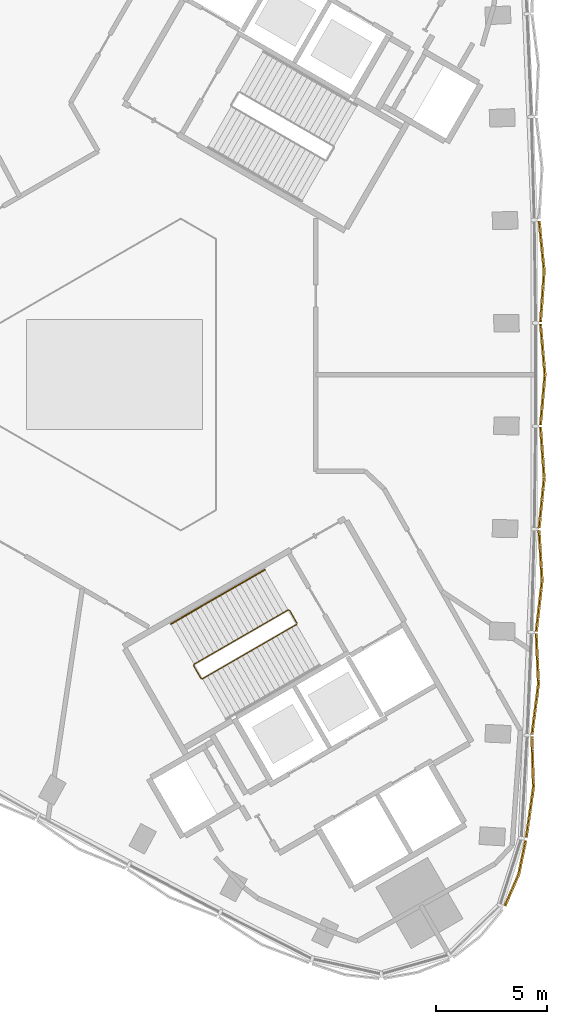
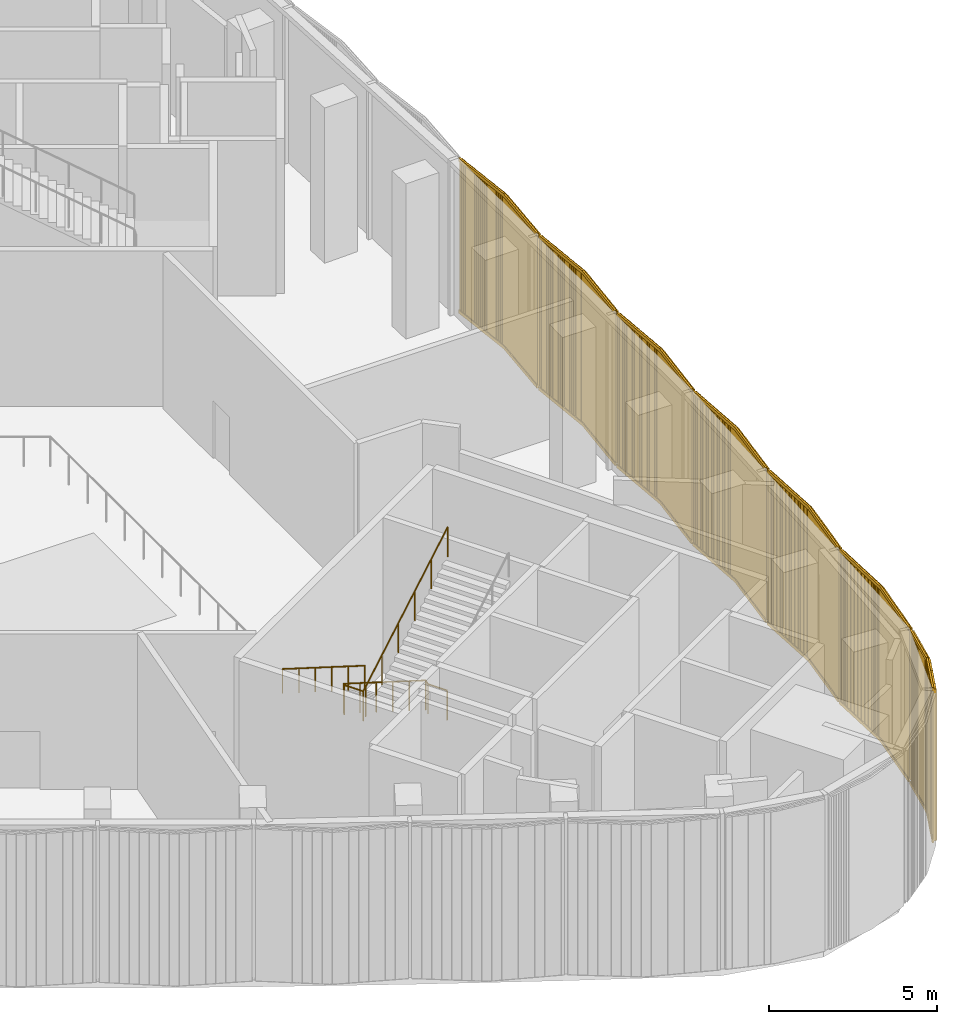
# One storey, part 11 of 14: 7 coverings, 2 railings.
"""IFC4 building model written with IfcOpenShell, lengths in metres."""

from ifc_helpers import new_model, si_unit, direction, frame, frame_2d, origin, origin_2d, place, context, subcontext, project, spatial, rectangle, circle, extrude, source, transform, mapped, material, type_object, element, save


model = new_model("IFC4")

# Units and contexts
model_context = context("Model", 3, precision=1e-05, world=origin(), true_north=direction((0.0, 1.0)))
body_context = subcontext(model_context, "Body", "Model", "MODEL_VIEW")
ifc_project = project(units=[si_unit("LENGTHUNIT", "METRE"), si_unit("AREAUNIT", "SQUARE_METRE"), si_unit("VOLUMEUNIT", "CUBIC_METRE"), si_unit("PLANEANGLEUNIT", "RADIAN"), si_unit("MASSUNIT", "GRAM", prefix="KILO")], contexts=[model_context])

# Site, building, storey
site_placement = place(None, origin())
site = spatial("IfcSite", under=ifc_project, at=site_placement, CompositionType="ELEMENT")
building_placement = place(site_placement, origin())
building = spatial("IfcBuilding", under=site, at=building_placement, Name="Tamra Quay Hotel Tower", CompositionType="ELEMENT")
storey_placement = place(building_placement, frame((0.0, 0.0, 169.60009765625)))
storey = spatial("IfcBuildingStorey", under=building, at=storey_placement, Name="L42", CompositionType="ELEMENT", Elevation=169.60009765625)

# Railings
ifc_material_1 = material(Name="Stair guard 1100")
railing_type_1 = type_object("IfcRailingType", Name="Stair guard 1100", PredefinedType="GUARDRAIL", material=ifc_material_1)
railing_1_placement = place(storey_placement, frame((8.245849609375, -11.221923828125, 0.0)))
element("IfcRailing", 1, at=railing_1_placement, inside=storey, type_object=railing_type_1, Name="GR", PredefinedType="GUARDRAIL", context=body_context, shape_type="SweptSolid", body=[
    extrude(circle(Radius=0.02392578125, at=origin_2d()), frame((0.0, 0.0, 1.076171875), z_axis=(-0.500043078269, 0.866000531106, 0.0), x_axis=(-0.866000531106, -0.500043078269, 0.0)), (0.0, 0.0, 1.0), 0.6591796875),
    extrude(circle(Radius=0.02392578125, at=origin_2d()), frame((-0.32958984375, 0.57080078125, 1.076171875), z_axis=(-0.41238007866, 0.110458949641, 0.904290601062), x_axis=(-0.258736085224, -0.965948051503, 0.0)), (0.0, 0.0, 1.0), 0.165771484375),
    extrude(circle(Radius=0.02392578125, at=origin_2d()), frame((-0.39794921875, 0.589111328125, 1.22607421875), z_axis=(-0.748672028886, -0.432247440648, 0.502645345365), x_axis=(0.500001252094, -0.866024680886, 0.0)), (0.0, 0.0, 1.0), 5.670166015625),
    extrude(circle(Radius=0.02392578125, at=origin_2d()), frame((-4.64306640625, -1.86181640625, 4.076171875), z_axis=(-0.258736085224, -0.965948051503, 0.0), x_axis=(0.965948051503, -0.258736085224, 0.0)), (0.0, 0.0, 1.0), 0.07080078125),
    extrude(circle(Radius=0.02392578125, at=origin_2d()), frame((-4.661376953125, -1.93017578125, 4.076171875), z_axis=(0.499765215335, -0.866160914346, 0.0), x_axis=(0.866160914346, 0.499765215335, 0.0)), (0.0, 0.0, 1.0), 0.658935546875),
    extrude(circle(Radius=0.02392578125, at=origin_2d()), frame((-4.33203125, -2.5009765625, 4.076171875), z_axis=(0.41238007866, -0.110458949641, 0.904290601062), x_axis=(0.258736085224, 0.965948051503, 0.0)), (0.0, 0.0, 1.0), 0.165771484375),
    extrude(circle(Radius=0.02392578125, at=origin_2d()), frame((-4.263671875, -2.519287109375, 4.22607421875), z_axis=(0.748677017577, 0.432268517826, 0.502619788556), x_axis=(-0.500017038671, 0.86601556628, 0.0)), (0.0, 0.0, 1.0), 5.67041015625),
    extrude(circle(Radius=0.02099609375, at=origin_2d()), origin(), (0.0, 0.0, 1.0), 1.052001953125),
    extrude(circle(Radius=0.02099609375, at=origin_2d()), frame((-0.32958984375, 0.57080078125, 0.0)), (0.0, 0.0, 1.0), 1.052001953125),
    extrude(circle(Radius=0.02099609375, at=origin_2d()), frame((-0.39794921875, 0.589111328125, 0.14990234375)), (0.0, 0.0, 1.0), 1.052001953125),
    extrude(circle(Radius=0.02099609375, at=origin_2d()), frame((-1.2470703125, 0.098876953125, 0.719970703125)), (0.0, 0.0, 1.0), 1.052001953125),
    extrude(circle(Radius=0.02099609375, at=origin_2d()), frame((-2.095947265625, -0.391357421875, 1.2900390625)), (0.0, 0.0, 1.0), 1.052001953125),
    extrude(circle(Radius=0.02099609375, at=origin_2d()), frame((-2.945068359375, -0.88134765625, 1.85986328125)), (0.0, 0.0, 1.0), 1.052001953125),
    extrude(circle(Radius=0.02099609375, at=origin_2d()), frame((-3.7939453125, -1.37158203125, 2.429931640625)), (0.0, 0.0, 1.0), 1.052001953125),
    extrude(circle(Radius=0.02099609375, at=origin_2d()), frame((-4.64306640625, -1.86181640625, 3.0)), (0.0, 0.0, 1.0), 1.052001953125),
    extrude(circle(Radius=0.02099609375, at=origin_2d()), frame((-4.661376953125, -1.93017578125, 3.0)), (0.0, 0.0, 1.0), 1.052001953125),
    extrude(circle(Radius=0.02099609375, at=origin_2d()), frame((-4.33203125, -2.5009765625, 3.0)), (0.0, 0.0, 1.0), 1.052001953125),
    extrude(circle(Radius=0.02099609375, at=origin_2d()), frame((-4.263671875, -2.519287109375, 3.14990234375)), (0.0, 0.0, 1.0), 1.052001953125),
    extrude(circle(Radius=0.02099609375, at=origin_2d()), frame((-3.41455078125, -2.029052734375, 3.719970703125)), (0.0, 0.0, 1.0), 1.052001953125),
    extrude(circle(Radius=0.02099609375, at=origin_2d()), frame((-2.5654296875, -1.538818359375, 4.2900390625)), (0.0, 0.0, 1.0), 1.052001953125),
    extrude(circle(Radius=0.02099609375, at=origin_2d()), frame((-1.716552734375, -1.048583984375, 4.85986328125)), (0.0, 0.0, 1.0), 1.052001953125),
    extrude(circle(Radius=0.02099609375, at=origin_2d()), frame((-0.867431640625, -0.558349609375, 5.429931640625)), (0.0, 0.0, 1.0), 1.052001953125),
    extrude(circle(Radius=0.02099609375, at=origin_2d()), frame((-0.018310546875, -0.068115234375, 6.0)), (0.0, 0.0, 1.0), 1.052001953125),
])
ifc_material_2 = material(Name="Stair handrail 900")
railing_type_2 = type_object("IfcRailingType", Name="Stair handrail 900", PredefinedType="HANDRAIL", material=ifc_material_2)
railing_2_placement = place(storey_placement, frame((6.7978515625, -8.814208984375, 0.14990234375)))
element("IfcRailing", 2, at=railing_2_placement, inside=storey, type_object=railing_type_2, Name="HR", PredefinedType="HANDRAIL", context=body_context, shape_type="SweptSolid", body=[
    extrude(circle(Radius=0.02392578125, at=origin_2d()), frame((0.0, 0.0, 0.8759765625), z_axis=(-0.748672028886, -0.432247440648, 0.502645345365), x_axis=(0.500001252094, -0.866024680886, 0.0)), (0.0, 0.0, 1.0), 5.670166015625),
    extrude(circle(Radius=0.02099609375, at=origin_2d()), origin(), (0.0, 0.0, 1.0), 0.851806640625),
    extrude(circle(Radius=0.02099609375, at=origin_2d()), frame((-0.84912109375, -0.490234375, 0.570068359375)), (0.0, 0.0, 1.0), 0.851806640625),
    extrude(circle(Radius=0.02099609375, at=origin_2d()), frame((-1.697998046875, -0.98046875, 1.14013671875)), (0.0, 0.0, 1.0), 0.851806640625),
    extrude(circle(Radius=0.02099609375, at=origin_2d()), frame((-2.547119140625, -1.470458984375, 1.7099609375)), (0.0, 0.0, 1.0), 0.851806640625),
    extrude(circle(Radius=0.02099609375, at=origin_2d()), frame((-3.39599609375, -1.960693359375, 2.280029296875)), (0.0, 0.0, 1.0), 0.851806640625),
    extrude(circle(Radius=0.02099609375, at=origin_2d()), frame((-4.2451171875, -2.450927734375, 2.85009765625)), (0.0, 0.0, 1.0), 0.851806640625),
])

# Coverings
ifc_material_3 = material(Name="Terracotta baguette extruded", Category="masonry")
covering_type_1 = type_object("IfcCoveringType", Name="BAGUETTE SCREEN E-SHALLOW H5650", PredefinedType="USERDEFINED", material=ifc_material_3)
shared_shape_1 = source(origin(), body_context, "Body", "SweptSolid", [
    extrude(rectangle(XDim=2.291259765625, YDim=0.06005859375, at=frame_2d((1.1455078125, 0.030029296875))), frame((-2.287841796875, -0.057861328125, -0.1201171875), z_axis=(0.0, 0.0, 1.0), x_axis=(0.996194698092, -0.087155742748, 0.0)), (0.0, 0.0, 1.0), 0.1201171875),
    extrude(rectangle(XDim=2.291259765625, YDim=0.06005859375, at=frame_2d((1.1455078125, 0.030029296875))), frame((-2.287841796875, -0.057861328125, -5.64990234375), z_axis=(0.0, 0.0, 1.0), x_axis=(0.996194698092, -0.087155742748, 0.0)), (0.0, 0.0, 1.0), 0.1201171875),
    extrude(rectangle(XDim=0.094970703125, YDim=0.10009765625, at=frame_2d((0.04736328125, 0.050048828125))), frame((-2.2802734375, -0.13232421875, -5.590087890625)), (0.0, 0.0, 1.0), 5.530029296875),
    extrude(rectangle(XDim=0.094970703125, YDim=0.10009765625, at=frame_2d((0.04736328125, 0.050048828125))), frame((-2.18115234375, -0.14111328125, -5.590087890625)), (0.0, 0.0, 1.0), 5.530029296875),
    extrude(rectangle(XDim=0.094970703125, YDim=0.10009765625, at=frame_2d((0.04736328125, 0.050048828125))), frame((-2.081787109375, -0.149658203125, -5.590087890625)), (0.0, 0.0, 1.0), 5.530029296875),
    extrude(rectangle(XDim=0.094970703125, YDim=0.10009765625, at=frame_2d((0.04736328125, 0.050048828125))), frame((-1.982666015625, -0.158447265625, -5.590087890625)), (0.0, 0.0, 1.0), 5.530029296875),
    extrude(rectangle(XDim=0.094970703125, YDim=0.10009765625, at=frame_2d((0.04736328125, 0.050048828125))), frame((-1.88330078125, -0.1669921875, -5.590087890625)), (0.0, 0.0, 1.0), 5.530029296875),
    extrude(rectangle(XDim=0.094970703125, YDim=0.10009765625, at=frame_2d((0.04736328125, 0.050048828125))), frame((-1.7841796875, -0.17578125, -5.590087890625)), (0.0, 0.0, 1.0), 5.530029296875),
    extrude(rectangle(XDim=0.094970703125, YDim=0.10009765625, at=frame_2d((0.04736328125, 0.050048828125))), frame((-1.68505859375, -0.184326171875, -5.590087890625)), (0.0, 0.0, 1.0), 5.530029296875),
    extrude(rectangle(XDim=0.094970703125, YDim=0.10009765625, at=frame_2d((0.04736328125, 0.050048828125))), frame((-1.585693359375, -0.193115234375, -5.590087890625)), (0.0, 0.0, 1.0), 5.530029296875),
    extrude(rectangle(XDim=0.094970703125, YDim=0.10009765625, at=frame_2d((0.04736328125, 0.050048828125))), frame((-1.486572265625, -0.201904296875, -5.590087890625)), (0.0, 0.0, 1.0), 5.530029296875),
    extrude(rectangle(XDim=0.094970703125, YDim=0.10009765625, at=frame_2d((0.04736328125, 0.050048828125))), frame((-1.38720703125, -0.21044921875, -5.590087890625)), (0.0, 0.0, 1.0), 5.530029296875),
    extrude(rectangle(XDim=0.094970703125, YDim=0.10009765625, at=frame_2d((0.04736328125, 0.050048828125))), frame((-1.2880859375, -0.21923828125, -5.590087890625)), (0.0, 0.0, 1.0), 5.530029296875),
    extrude(rectangle(XDim=0.094970703125, YDim=0.10009765625, at=frame_2d((0.04736328125, 0.050048828125))), frame((-1.188720703125, -0.227783203125, -5.590087890625)), (0.0, 0.0, 1.0), 5.530029296875),
    extrude(rectangle(XDim=0.094970703125, YDim=0.10009765625, at=frame_2d((0.04736328125, 0.050048828125))), frame((-1.089599609375, -0.236572265625, -5.590087890625)), (0.0, 0.0, 1.0), 5.530029296875),
    extrude(rectangle(XDim=0.094970703125, YDim=0.10009765625, at=frame_2d((0.04736328125, 0.050048828125))), frame((-0.990234375, -0.2451171875, -5.590087890625)), (0.0, 0.0, 1.0), 5.530029296875),
    extrude(rectangle(XDim=0.094970703125, YDim=0.10009765625, at=frame_2d((0.04736328125, 0.050048828125))), frame((-0.89111328125, -0.25390625, -5.590087890625)), (0.0, 0.0, 1.0), 5.530029296875),
    extrude(rectangle(XDim=0.094970703125, YDim=0.10009765625, at=frame_2d((0.04736328125, 0.050048828125))), frame((-0.791748046875, -0.2626953125, -5.590087890625)), (0.0, 0.0, 1.0), 5.530029296875),
    extrude(rectangle(XDim=0.094970703125, YDim=0.10009765625, at=frame_2d((0.04736328125, 0.050048828125))), frame((-0.692626953125, -0.271240234375, -5.590087890625)), (0.0, 0.0, 1.0), 5.530029296875),
    extrude(rectangle(XDim=0.094970703125, YDim=0.10009765625, at=frame_2d((0.04736328125, 0.050048828125))), frame((-0.59326171875, -0.280029296875, -5.590087890625)), (0.0, 0.0, 1.0), 5.530029296875),
    extrude(rectangle(XDim=0.094970703125, YDim=0.10009765625, at=frame_2d((0.04736328125, 0.050048828125))), frame((-0.494140625, -0.28857421875, -5.590087890625)), (0.0, 0.0, 1.0), 5.530029296875),
    extrude(rectangle(XDim=0.094970703125, YDim=0.10009765625, at=frame_2d((0.04736328125, 0.050048828125))), frame((-0.394775390625, -0.29736328125, -5.590087890625)), (0.0, 0.0, 1.0), 5.530029296875),
    extrude(rectangle(XDim=0.094970703125, YDim=0.10009765625, at=frame_2d((0.04736328125, 0.050048828125))), frame((-0.295654296875, -0.305908203125, -5.590087890625)), (0.0, 0.0, 1.0), 5.530029296875),
    extrude(rectangle(XDim=0.094970703125, YDim=0.10009765625, at=frame_2d((0.04736328125, 0.050048828125))), frame((-0.1962890625, -0.314697265625, -5.590087890625)), (0.0, 0.0, 1.0), 5.530029296875),
    extrude(rectangle(XDim=0.094970703125, YDim=0.10009765625, at=frame_2d((0.04736328125, 0.050048828125))), frame((-0.09716796875, -0.3232421875, -5.590087890625)), (0.0, 0.0, 1.0), 5.530029296875),
    extrude(rectangle(XDim=2.291259765625, YDim=0.06005859375, at=frame_2d((1.1455078125, 0.030029296875))), frame((0.005126953125, -0.257568359375, -0.1201171875), z_axis=(0.0, 0.0, 1.0), x_axis=(0.996194698092, 0.087155742748, 0.0)), (0.0, 0.0, 1.0), 0.1201171875),
    extrude(rectangle(XDim=2.291259765625, YDim=0.06005859375, at=frame_2d((1.1455078125, 0.030029296875))), frame((0.005126953125, -0.257568359375, -5.64990234375), z_axis=(0.0, 0.0, 1.0), x_axis=(0.996194698092, 0.087155742748, 0.0)), (0.0, 0.0, 1.0), 0.1201171875),
    extrude(rectangle(XDim=0.094970703125, YDim=0.10009765625, at=frame_2d((0.04736328125, 0.050048828125))), frame((0.002197265625, -0.3232421875, -5.590087890625)), (0.0, 0.0, 1.0), 5.530029296875),
    extrude(rectangle(XDim=0.094970703125, YDim=0.10009765625, at=frame_2d((0.04736328125, 0.050048828125))), frame((0.101318359375, -0.314697265625, -5.590087890625)), (0.0, 0.0, 1.0), 5.530029296875),
    extrude(rectangle(XDim=0.094970703125, YDim=0.10009765625, at=frame_2d((0.04736328125, 0.050048828125))), frame((0.20068359375, -0.305908203125, -5.590087890625)), (0.0, 0.0, 1.0), 5.530029296875),
    extrude(rectangle(XDim=0.094970703125, YDim=0.10009765625, at=frame_2d((0.04736328125, 0.050048828125))), frame((0.2998046875, -0.29736328125, -5.590087890625)), (0.0, 0.0, 1.0), 5.530029296875),
    extrude(rectangle(XDim=0.094970703125, YDim=0.10009765625, at=frame_2d((0.04736328125, 0.050048828125))), frame((0.399169921875, -0.28857421875, -5.590087890625)), (0.0, 0.0, 1.0), 5.530029296875),
    extrude(rectangle(XDim=0.094970703125, YDim=0.10009765625, at=frame_2d((0.04736328125, 0.050048828125))), frame((0.498291015625, -0.280029296875, -5.590087890625)), (0.0, 0.0, 1.0), 5.530029296875),
    extrude(rectangle(XDim=0.094970703125, YDim=0.10009765625, at=frame_2d((0.04736328125, 0.050048828125))), frame((0.59765625, -0.271240234375, -5.590087890625)), (0.0, 0.0, 1.0), 5.530029296875),
    extrude(rectangle(XDim=0.094970703125, YDim=0.10009765625, at=frame_2d((0.04736328125, 0.050048828125))), frame((0.69677734375, -0.2626953125, -5.590087890625)), (0.0, 0.0, 1.0), 5.530029296875),
    extrude(rectangle(XDim=0.094970703125, YDim=0.10009765625, at=frame_2d((0.04736328125, 0.050048828125))), frame((0.796142578125, -0.25390625, -5.590087890625)), (0.0, 0.0, 1.0), 5.530029296875),
    extrude(rectangle(XDim=0.094970703125, YDim=0.10009765625, at=frame_2d((0.04736328125, 0.050048828125))), frame((0.895263671875, -0.2451171875, -5.590087890625)), (0.0, 0.0, 1.0), 5.530029296875),
    extrude(rectangle(XDim=0.094970703125, YDim=0.10009765625, at=frame_2d((0.04736328125, 0.050048828125))), frame((0.99462890625, -0.236572265625, -5.590087890625)), (0.0, 0.0, 1.0), 5.530029296875),
    extrude(rectangle(XDim=0.094970703125, YDim=0.10009765625, at=frame_2d((0.04736328125, 0.050048828125))), frame((1.09375, -0.227783203125, -5.590087890625)), (0.0, 0.0, 1.0), 5.530029296875),
    extrude(rectangle(XDim=0.094970703125, YDim=0.10009765625, at=frame_2d((0.04736328125, 0.050048828125))), frame((1.19287109375, -0.21923828125, -5.590087890625)), (0.0, 0.0, 1.0), 5.530029296875),
    extrude(rectangle(XDim=0.094970703125, YDim=0.10009765625, at=frame_2d((0.04736328125, 0.050048828125))), frame((1.292236328125, -0.21044921875, -5.590087890625)), (0.0, 0.0, 1.0), 5.530029296875),
    extrude(rectangle(XDim=0.094970703125, YDim=0.10009765625, at=frame_2d((0.04736328125, 0.050048828125))), frame((1.391357421875, -0.201904296875, -5.590087890625)), (0.0, 0.0, 1.0), 5.530029296875),
    extrude(rectangle(XDim=0.094970703125, YDim=0.10009765625, at=frame_2d((0.04736328125, 0.050048828125))), frame((1.49072265625, -0.193115234375, -5.590087890625)), (0.0, 0.0, 1.0), 5.530029296875),
    extrude(rectangle(XDim=0.094970703125, YDim=0.10009765625, at=frame_2d((0.04736328125, 0.050048828125))), frame((1.58984375, -0.184326171875, -5.590087890625)), (0.0, 0.0, 1.0), 5.530029296875),
    extrude(rectangle(XDim=0.094970703125, YDim=0.10009765625, at=frame_2d((0.04736328125, 0.050048828125))), frame((1.689208984375, -0.17578125, -5.590087890625)), (0.0, 0.0, 1.0), 5.530029296875),
    extrude(rectangle(XDim=0.094970703125, YDim=0.10009765625, at=frame_2d((0.04736328125, 0.050048828125))), frame((1.788330078125, -0.1669921875, -5.590087890625)), (0.0, 0.0, 1.0), 5.530029296875),
    extrude(rectangle(XDim=0.094970703125, YDim=0.10009765625, at=frame_2d((0.04736328125, 0.050048828125))), frame((1.8876953125, -0.158447265625, -5.590087890625)), (0.0, 0.0, 1.0), 5.530029296875),
    extrude(rectangle(XDim=0.094970703125, YDim=0.10009765625, at=frame_2d((0.04736328125, 0.050048828125))), frame((1.98681640625, -0.149658203125, -5.590087890625)), (0.0, 0.0, 1.0), 5.530029296875),
    extrude(rectangle(XDim=0.094970703125, YDim=0.10009765625, at=frame_2d((0.04736328125, 0.050048828125))), frame((2.086181640625, -0.14111328125, -5.590087890625)), (0.0, 0.0, 1.0), 5.530029296875),
    extrude(rectangle(XDim=0.094970703125, YDim=0.10009765625, at=frame_2d((0.04736328125, 0.050048828125))), frame((2.185302734375, -0.13232421875, -5.590087890625)), (0.0, 0.0, 1.0), 5.530029296875),
])
for number, where, z_axis, x_axis, name in (
    (3, (18.668701171875, -18.6220703125, 5.64990234375), (0.0, 0.0, 1.0), (0.055417205068, 0.998463285946, 0.0), "Baguette screen L42.E.f00"),
    (4, (18.89453125, -13.9697265625, 5.64990234375), (0.0, 0.0, 1.0), (0.041600060094, 0.999134342819, 0.0), "Baguette screen L42.E.f01"),
    (5, (19.05615234375, -9.314697265625, 5.64990234375), (0.0, 0.0, 1.0), (0.027753727156, 0.999614791122, 0.0), "Baguette screen L42.E.f02"),
    (6, (19.153076171875, -4.657958984375, 5.64990234375), (0.0, 0.0, 1.0), (0.013885835294, 0.999903587141, 0.0), "Baguette screen L42.E.f03"),
    (7, (19.185546875, 0.0, 5.64990234375), (0.0, 0.0, 1.0), (0.0, 1.0, 0.0), "Baguette screen L42.E.f04"),
    (8, (19.153076171875, 4.657958984375, 5.64990234375), (0.0, 0.0, 1.0), (-0.013885835294, 0.999903587141, 0.0), "Baguette screen L42.E.f05"),
):
    element("IfcCovering", number, at=place(storey_placement, frame(where, z_axis=z_axis, x_axis=x_axis)), inside=storey, type_object=covering_type_1, Name=name, ObjectType="BAGUETTE SCREEN", PredefinedType="USERDEFINED", context=body_context, shape_type="MappedRepresentation", body=[
        mapped(shared_shape_1, transform((0.0, 0.0, 0.0), scale=1.0)),
    ])
covering_type_2 = type_object("IfcCoveringType", Name="BAGUETTE SCREEN CORNER-SHALLOW H5650", PredefinedType="USERDEFINED", material=ifc_material_3)
shared_shape_2 = source(origin(), body_context, "Body", "SweptSolid", [
    extrude(rectangle(XDim=1.56103515625, YDim=0.06005859375, at=frame_2d((0.780517578125, 0.030029296875))), frame((-1.558837890625, -0.0576171875, -0.1201171875), z_axis=(0.0, 0.0, 1.0), x_axis=(0.994521895368, -0.104528463268, 0.0)), (0.0, 0.0, 1.0), 0.1201171875),
    extrude(rectangle(XDim=1.56103515625, YDim=0.06005859375, at=frame_2d((0.780517578125, 0.030029296875))), frame((-1.558837890625, -0.0576171875, -5.64990234375), z_axis=(0.0, 0.0, 1.0), x_axis=(0.994521895368, -0.104528463268, 0.0)), (0.0, 0.0, 1.0), 0.1201171875),
    extrude(rectangle(XDim=0.094970703125, YDim=0.10009765625, at=frame_2d((0.04736328125, 0.050048828125))), frame((-1.551513671875, -0.133056640625, -5.590087890625)), (0.0, 0.0, 1.0), 5.530029296875),
    extrude(rectangle(XDim=0.094970703125, YDim=0.10009765625, at=frame_2d((0.04736328125, 0.050048828125))), frame((-1.454345703125, -0.143310546875, -5.590087890625)), (0.0, 0.0, 1.0), 5.530029296875),
    extrude(rectangle(XDim=0.094970703125, YDim=0.10009765625, at=frame_2d((0.04736328125, 0.050048828125))), frame((-1.357421875, -0.153564453125, -5.590087890625)), (0.0, 0.0, 1.0), 5.530029296875),
    extrude(rectangle(XDim=0.094970703125, YDim=0.10009765625, at=frame_2d((0.04736328125, 0.050048828125))), frame((-1.260498046875, -0.16357421875, -5.590087890625)), (0.0, 0.0, 1.0), 5.530029296875),
    extrude(rectangle(XDim=0.094970703125, YDim=0.10009765625, at=frame_2d((0.04736328125, 0.050048828125))), frame((-1.163330078125, -0.173828125, -5.590087890625)), (0.0, 0.0, 1.0), 5.530029296875),
    extrude(rectangle(XDim=0.094970703125, YDim=0.10009765625, at=frame_2d((0.04736328125, 0.050048828125))), frame((-1.06640625, -0.18408203125, -5.590087890625)), (0.0, 0.0, 1.0), 5.530029296875),
    extrude(rectangle(XDim=0.094970703125, YDim=0.10009765625, at=frame_2d((0.04736328125, 0.050048828125))), frame((-0.96923828125, -0.1943359375, -5.590087890625)), (0.0, 0.0, 1.0), 5.530029296875),
    extrude(rectangle(XDim=0.094970703125, YDim=0.10009765625, at=frame_2d((0.04736328125, 0.050048828125))), frame((-0.872314453125, -0.20458984375, -5.590087890625)), (0.0, 0.0, 1.0), 5.530029296875),
    extrude(rectangle(XDim=0.094970703125, YDim=0.10009765625, at=frame_2d((0.04736328125, 0.050048828125))), frame((-0.775146484375, -0.214599609375, -5.590087890625)), (0.0, 0.0, 1.0), 5.530029296875),
    extrude(rectangle(XDim=0.094970703125, YDim=0.10009765625, at=frame_2d((0.04736328125, 0.050048828125))), frame((-0.67822265625, -0.224853515625, -5.590087890625)), (0.0, 0.0, 1.0), 5.530029296875),
    extrude(rectangle(XDim=0.094970703125, YDim=0.10009765625, at=frame_2d((0.04736328125, 0.050048828125))), frame((-0.5810546875, -0.235107421875, -5.590087890625)), (0.0, 0.0, 1.0), 5.530029296875),
    extrude(rectangle(XDim=0.094970703125, YDim=0.10009765625, at=frame_2d((0.04736328125, 0.050048828125))), frame((-0.484130859375, -0.245361328125, -5.590087890625)), (0.0, 0.0, 1.0), 5.530029296875),
    extrude(rectangle(XDim=0.094970703125, YDim=0.10009765625, at=frame_2d((0.04736328125, 0.050048828125))), frame((-0.38720703125, -0.25537109375, -5.590087890625)), (0.0, 0.0, 1.0), 5.530029296875),
    extrude(rectangle(XDim=0.094970703125, YDim=0.10009765625, at=frame_2d((0.04736328125, 0.050048828125))), frame((-0.2900390625, -0.265625, -5.590087890625)), (0.0, 0.0, 1.0), 5.530029296875),
    extrude(rectangle(XDim=0.094970703125, YDim=0.10009765625, at=frame_2d((0.04736328125, 0.050048828125))), frame((-0.193115234375, -0.27587890625, -5.590087890625)), (0.0, 0.0, 1.0), 5.530029296875),
    extrude(rectangle(XDim=0.094970703125, YDim=0.10009765625, at=frame_2d((0.04736328125, 0.050048828125))), frame((-0.095947265625, -0.2861328125, -5.590087890625)), (0.0, 0.0, 1.0), 5.530029296875),
    extrude(rectangle(XDim=1.56103515625, YDim=0.06005859375, at=frame_2d((0.780517578125, 0.030029296875))), frame((0.00634765625, -0.220947265625, -0.1201171875), z_axis=(0.0, 0.0, 1.0), x_axis=(0.994521895368, 0.104528463268, 0.0)), (0.0, 0.0, 1.0), 0.1201171875),
    extrude(rectangle(XDim=1.56103515625, YDim=0.06005859375, at=frame_2d((0.780517578125, 0.030029296875))), frame((0.00634765625, -0.220947265625, -5.64990234375), z_axis=(0.0, 0.0, 1.0), x_axis=(0.994521895368, 0.104528463268, 0.0)), (0.0, 0.0, 1.0), 0.1201171875),
    extrude(rectangle(XDim=0.094970703125, YDim=0.10009765625, at=frame_2d((0.04736328125, 0.050048828125))), frame((0.0009765625, -0.2861328125, -5.590087890625)), (0.0, 0.0, 1.0), 5.530029296875),
    extrude(rectangle(XDim=0.094970703125, YDim=0.10009765625, at=frame_2d((0.04736328125, 0.050048828125))), frame((0.09814453125, -0.27587890625, -5.590087890625)), (0.0, 0.0, 1.0), 5.530029296875),
    extrude(rectangle(XDim=0.094970703125, YDim=0.10009765625, at=frame_2d((0.04736328125, 0.050048828125))), frame((0.195068359375, -0.265625, -5.590087890625)), (0.0, 0.0, 1.0), 5.530029296875),
    extrude(rectangle(XDim=0.094970703125, YDim=0.10009765625, at=frame_2d((0.04736328125, 0.050048828125))), frame((0.2919921875, -0.25537109375, -5.590087890625)), (0.0, 0.0, 1.0), 5.530029296875),
    extrude(rectangle(XDim=0.094970703125, YDim=0.10009765625, at=frame_2d((0.04736328125, 0.050048828125))), frame((0.38916015625, -0.245361328125, -5.590087890625)), (0.0, 0.0, 1.0), 5.530029296875),
    extrude(rectangle(XDim=0.094970703125, YDim=0.10009765625, at=frame_2d((0.04736328125, 0.050048828125))), frame((0.486083984375, -0.235107421875, -5.590087890625)), (0.0, 0.0, 1.0), 5.530029296875),
    extrude(rectangle(XDim=0.094970703125, YDim=0.10009765625, at=frame_2d((0.04736328125, 0.050048828125))), frame((0.583251953125, -0.224853515625, -5.590087890625)), (0.0, 0.0, 1.0), 5.530029296875),
    extrude(rectangle(XDim=0.094970703125, YDim=0.10009765625, at=frame_2d((0.04736328125, 0.050048828125))), frame((0.68017578125, -0.214599609375, -5.590087890625)), (0.0, 0.0, 1.0), 5.530029296875),
    extrude(rectangle(XDim=0.094970703125, YDim=0.10009765625, at=frame_2d((0.04736328125, 0.050048828125))), frame((0.77734375, -0.20458984375, -5.590087890625)), (0.0, 0.0, 1.0), 5.530029296875),
    extrude(rectangle(XDim=0.094970703125, YDim=0.10009765625, at=frame_2d((0.04736328125, 0.050048828125))), frame((0.874267578125, -0.1943359375, -5.590087890625)), (0.0, 0.0, 1.0), 5.530029296875),
    extrude(rectangle(XDim=0.094970703125, YDim=0.10009765625, at=frame_2d((0.04736328125, 0.050048828125))), frame((0.971435546875, -0.18408203125, -5.590087890625)), (0.0, 0.0, 1.0), 5.530029296875),
    extrude(rectangle(XDim=0.094970703125, YDim=0.10009765625, at=frame_2d((0.04736328125, 0.050048828125))), frame((1.068359375, -0.173828125, -5.590087890625)), (0.0, 0.0, 1.0), 5.530029296875),
    extrude(rectangle(XDim=0.094970703125, YDim=0.10009765625, at=frame_2d((0.04736328125, 0.050048828125))), frame((1.165283203125, -0.16357421875, -5.590087890625)), (0.0, 0.0, 1.0), 5.530029296875),
    extrude(rectangle(XDim=0.094970703125, YDim=0.10009765625, at=frame_2d((0.04736328125, 0.050048828125))), frame((1.262451171875, -0.153564453125, -5.590087890625)), (0.0, 0.0, 1.0), 5.530029296875),
    extrude(rectangle(XDim=0.094970703125, YDim=0.10009765625, at=frame_2d((0.04736328125, 0.050048828125))), frame((1.359375, -0.143310546875, -5.590087890625)), (0.0, 0.0, 1.0), 5.530029296875),
    extrude(rectangle(XDim=0.094970703125, YDim=0.10009765625, at=frame_2d((0.04736328125, 0.050048828125))), frame((1.45654296875, -0.133056640625, -5.590087890625)), (0.0, 0.0, 1.0), 5.530029296875),
])
covering_placement = place(storey_placement, frame((18.04833984375, -22.5048828125, 5.64990234375), z_axis=(0.0, 0.0, 1.0), x_axis=(0.303410479682, 0.952859948166, 0.0)))
element("IfcCovering", 9, at=covering_placement, inside=storey, type_object=covering_type_2, Name="Baguette screen L42.SW.c12", ObjectType="BAGUETTE SCREEN", PredefinedType="USERDEFINED", context=body_context, shape_type="MappedRepresentation", body=[
    mapped(shared_shape_2, transform((0.0, 0.0, 0.0), scale=1.0)),
])

save(model, "model.ifc")
